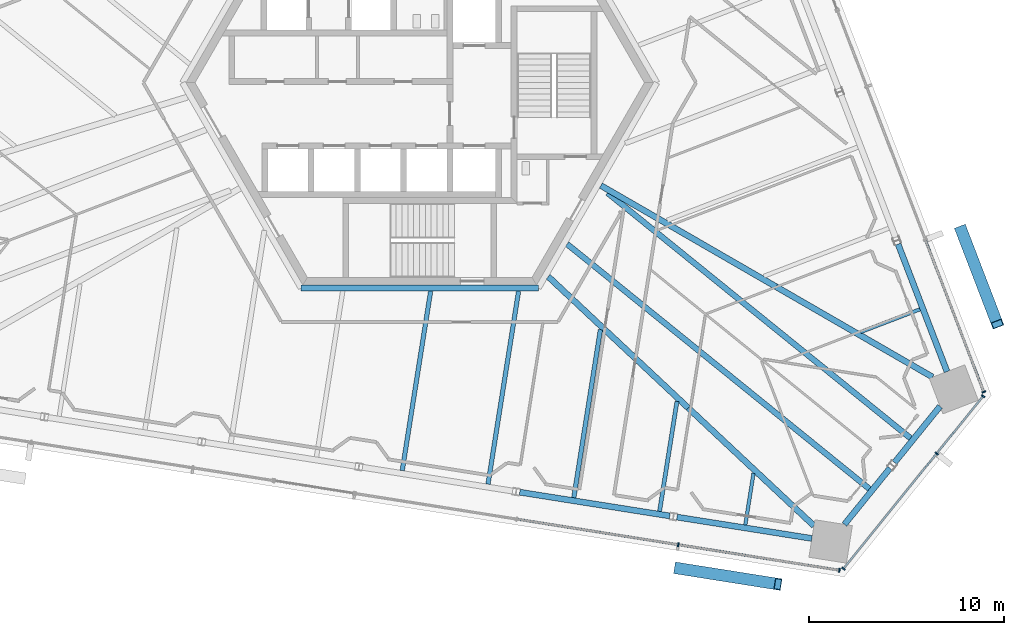
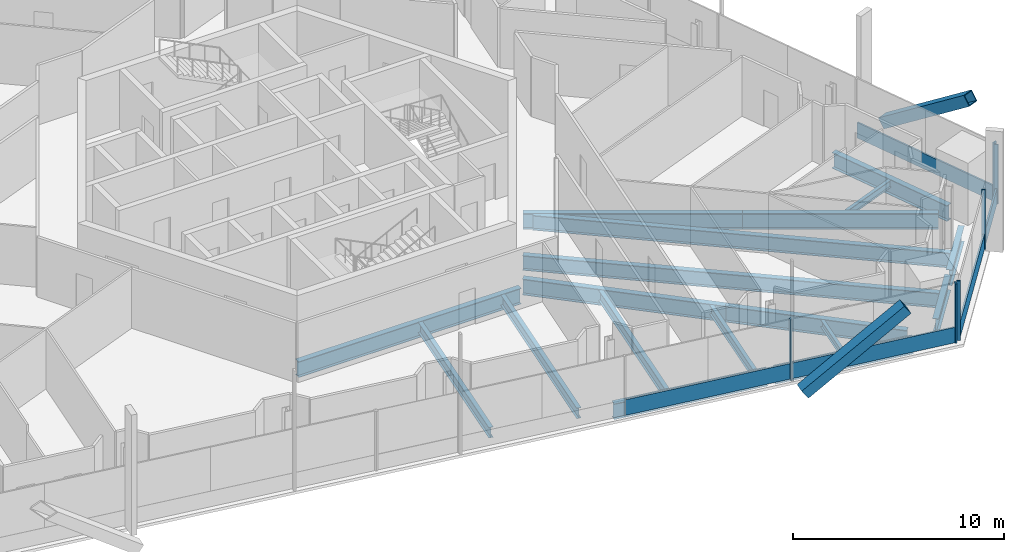
# One storey, part 6 of 23: 18 beams, 13 members, 3 elements without a shape of their own.
"""IFC4 building model written with IfcOpenShell, lengths in metres."""

from ifc_helpers import new_model, si_unit, direction, frame, origin, origin_2d, place, context, subcontext, project, spatial, rectangle, hollow_rectangle, i_section, extrude, source, transform, mapped, material, material_profile, profile_set, type_object, element, aggregate, save


model = new_model("IFC4")

# Units and contexts
model_context = context("Model", 3, precision=1e-05, world=origin(), true_north=direction((0.0, 1.0)))
body_context = subcontext(model_context, "Body", "Model", "MODEL_VIEW")
ifc_project = project(units=[si_unit("LENGTHUNIT", "METRE"), si_unit("AREAUNIT", "SQUARE_METRE"), si_unit("VOLUMEUNIT", "CUBIC_METRE"), si_unit("PLANEANGLEUNIT", "RADIAN"), si_unit("MASSUNIT", "GRAM", prefix="KILO")], contexts=[model_context])

# Site, building, storey
site_placement = place(None, origin())
site = spatial("IfcSite", under=ifc_project, at=site_placement, CompositionType="ELEMENT")
building_placement = place(site_placement, origin())
building = spatial("IfcBuilding", under=site, at=building_placement, Name="Triune Harvest Tower", CompositionType="ELEMENT")
storey_placement = place(building_placement, frame((0.0, 0.0, 167.699951171875)))
storey = spatial("IfcBuildingStorey", under=building, at=storey_placement, Name="L43", CompositionType="ELEMENT", Elevation=167.699951171875)

# Beams
ifc_material_1 = material(Name="Steel ASTM A992 Gr 50", Category="steel")
ifc_material_profile_1 = material_profile(ifc_material_1, i_section(OverallWidth=0.3046875, OverallDepth=0.914306640625, WebThickness=0.0166015625, FlangeThickness=0.02587890625, at=origin_2d()), Name="W36x160")
ifc_profile_set_1 = profile_set([ifc_material_profile_1], Name="Steel ASTM A992 Gr 50")
beam_type_1 = type_object("IfcBeamType", Name="CG-1 Core ring girder W36x160", PredefinedType="BEAM", material=ifc_profile_set_1)
shared_shape_1 = source(origin(), body_context, "Body", "SweptSolid", [
    extrude(i_section(OverallWidth=0.3046875, OverallDepth=0.914306640625, WebThickness=0.0166015625, FlangeThickness=0.02587890625, at=origin_2d()), origin(), (0.0, 0.0, 1.0), 12.17578125),
])
beam_1_placement = place(storey_placement, frame((-6.087890625, -10.544677734375, -0.6171875), z_axis=(1.0, 0.0, 0.0), x_axis=(0.0, 1.0, 0.0)))
element("IfcBeam", 1, at=beam_1_placement, inside=storey, type_object=beam_type_1, Name="beam/L43/CG5", PredefinedType="BEAM", context=body_context, shape_type="MappedRepresentation", body=[
    mapped(shared_shape_1, transform((0.0, 0.0, 0.0), scale=1.0)),
])
ifc_material_2 = material(Name="Steel ASTM A992 Gr 50", Category="steel")
ifc_material_profile_2 = material_profile(ifc_material_2, i_section(OverallWidth=0.307373046875, OverallDepth=0.922119140625, WebThickness=0.018310546875, FlangeThickness=0.030029296875, at=origin_2d()), Name="W36x182")
ifc_profile_set_2 = profile_set([ifc_material_profile_2], Name="Steel ASTM A992 Gr 50")
beam_type_2 = type_object("IfcBeamType", Name="HG-2 Hip girder W36x182", PredefinedType="BEAM", material=ifc_profile_set_2)
shared_shape_2 = source(origin(), body_context, "Body", "SweptSolid", [
    extrude(i_section(OverallWidth=0.307373046875, OverallDepth=0.922119140625, WebThickness=0.018310546875, FlangeThickness=0.030029296875, at=origin_2d()), origin(), (0.0, 0.0, 1.0), 10.38623046875),
])
beam_2_placement = place(storey_placement, frame((18.29833984375, -10.47314453125, -0.620849609375), z_axis=(-0.866022743272, 0.500004608114, 0.0), x_axis=(-0.500004608114, -0.866022743272, 0.0)))
element("IfcBeam", 2, at=beam_2_placement, inside=storey, type_object=beam_type_2, Name="beam/L43/HG2", PredefinedType="BEAM", context=body_context, shape_type="MappedRepresentation", body=[
    mapped(shared_shape_2, transform((0.0, 0.0, 0.0), scale=1.0)),
])
shared_shape_3 = source(origin(), body_context, "Body", "SweptSolid", [
    extrude(i_section(OverallWidth=0.307373046875, OverallDepth=0.922119140625, WebThickness=0.018310546875, FlangeThickness=0.030029296875, at=origin_2d()), origin(), (0.0, 0.0, 1.0), 9.85888671875),
])
beam_3_placement = place(storey_placement, frame((13.794189453125, -16.702392578125, -0.620849609375), z_axis=(-0.729486233367, 0.683995493646, 0.0), x_axis=(-0.683995493646, -0.729486233367, 0.0)))
element("IfcBeam", 3, at=beam_3_placement, inside=storey, type_object=beam_type_2, Name="beam/L43/HG8", PredefinedType="BEAM", context=body_context, shape_type="MappedRepresentation", body=[
    mapped(shared_shape_3, transform((0.0, 0.0, 0.0), scale=1.0)),
])
ifc_material_3 = material(Name="Steel ASTM A992 Gr 50", Category="steel")
ifc_material_profile_3 = material_profile(ifc_material_3, i_section(OverallWidth=0.3046875, OverallDepth=0.914306640625, WebThickness=0.0166015625, FlangeThickness=0.02587890625, at=origin_2d()), Name="W36x160")
ifc_profile_set_3 = profile_set([ifc_material_profile_3], Name="Steel ASTM A992 Gr 50")
beam_type_3 = type_object("IfcBeamType", Name="SB-1 Spandrel beam W36x160", PredefinedType="SPANDREL", material=ifc_profile_set_3)
shared_shape_4 = source(origin(), body_context, "Body", "SweptSolid", [
    extrude(i_section(OverallWidth=0.3046875, OverallDepth=0.914306640625, WebThickness=0.0166015625, FlangeThickness=0.02587890625, at=origin_2d()), origin(), (0.0, 0.0, 1.0), 7.013427734375),
])
for number, where, z_axis, x_axis, name in (
    (4, (27.07568359375, -14.832275390625, -0.6171875), (-0.358372513984, 0.93357867436, 0.0), (-0.93357867436, -0.358372513984, 0.0), "beam/L43/SB1"),
    (5, (13.210205078125, -22.302978515625, -0.6171875), (0.987687489289, -0.156439839878, 0.0), (0.156439839878, 0.987687489289, 0.0), "beam/L43/SB22"),
):
    element("IfcBeam", number, at=place(storey_placement, frame(where, z_axis=z_axis, x_axis=x_axis)), inside=storey, type_object=beam_type_3, Name=name, PredefinedType="SPANDREL", context=body_context, shape_type="MappedRepresentation", body=[
        mapped(shared_shape_4, transform((0.0, 0.0, 0.0), scale=1.0)),
    ])
shared_shape_5 = source(origin(), body_context, "Body", "SweptSolid", [
    extrude(i_section(OverallWidth=0.3046875, OverallDepth=0.914306640625, WebThickness=0.0166015625, FlangeThickness=0.02587890625, at=origin_2d()), origin(), (0.0, 0.0, 1.0), 3.71240234375),
])
beam_4_placement = place(storey_placement, frame((21.808837890625, -22.677734375, -0.6171875), z_axis=(0.629351453127, 0.777120806855, 0.0), x_axis=(-0.777120806855, 0.629351453127, 0.0)))
element("IfcBeam", 6, at=beam_4_placement, inside=storey, type_object=beam_type_3, Name="beam/L43/SB23", PredefinedType="SPANDREL", context=body_context, shape_type="MappedRepresentation", body=[
    mapped(shared_shape_5, transform((0.0, 0.0, 0.0), scale=1.0)),
])
shared_shape_6 = source(origin(), body_context, "Body", "SweptSolid", [
    extrude(i_section(OverallWidth=0.3046875, OverallDepth=0.914306640625, WebThickness=0.0166015625, FlangeThickness=0.02587890625, at=origin_2d()), origin(), (0.0, 0.0, 1.0), 7.801513671875),
])
beam_5_placement = place(storey_placement, frame((5.135986328125, -21.024169921875, -0.6171875), z_axis=(0.98768800071, -0.156436610974, 0.0), x_axis=(0.156436610974, 0.98768800071, 0.0)))
element("IfcBeam", 7, at=beam_5_placement, inside=storey, type_object=beam_type_3, Name="beam/L43/SB21", PredefinedType="SPANDREL", context=body_context, shape_type="MappedRepresentation", body=[
    mapped(shared_shape_6, transform((0.0, 0.0, 0.0), scale=1.0)),
])
shared_shape_7 = source(origin(), body_context, "Body", "SweptSolid", [
    extrude(i_section(OverallWidth=0.3046875, OverallDepth=0.914306640625, WebThickness=0.0166015625, FlangeThickness=0.02587890625, at=origin_2d()), origin(), (0.0, 0.0, 1.0), 3.712646484375),
])
beam_6_placement = place(storey_placement, frame((24.380126953125, -19.50244140625, -0.6171875), z_axis=(0.629319290748, 0.777146852462, 0.0), x_axis=(-0.777146852462, 0.629319290748, 0.0)))
element("IfcBeam", 8, at=beam_6_placement, inside=storey, type_object=beam_type_3, Name="beam/L43/SB24", PredefinedType="SPANDREL", context=body_context, shape_type="MappedRepresentation", body=[
    mapped(shared_shape_7, transform((0.0, 0.0, 0.0), scale=1.0)),
])
shared_shape_8 = source(origin(), body_context, "Body", "SweptSolid", [
    extrude(i_section(OverallWidth=0.307373046875, OverallDepth=0.922119140625, WebThickness=0.018310546875, FlangeThickness=0.030029296875, at=origin_2d()), origin(), (0.0, 0.0, 1.0), 9.28369140625),
])
beam_7_placement = place(storey_placement, frame((26.33837890625, -15.114990234375, -0.620849609375), z_axis=(-0.86602880926, 0.499994101496, 0.0), x_axis=(-0.499994101496, -0.86602880926, 0.0)))
element("IfcBeam", 9, at=beam_7_placement, inside=storey, type_object=beam_type_2, Name="beam/L43/HG1", PredefinedType="BEAM", context=body_context, shape_type="MappedRepresentation", body=[
    mapped(shared_shape_8, transform((0.0, 0.0, 0.0), scale=1.0)),
])
shared_shape_9 = source(origin(), body_context, "Body", "SweptSolid", [
    extrude(i_section(OverallWidth=0.307373046875, OverallDepth=0.922119140625, WebThickness=0.018310546875, FlangeThickness=0.030029296875, at=origin_2d()), origin(), (0.0, 0.0, 1.0), 8.8369140625),
])
beam_8_placement = place(storey_placement, frame((20.24072265625, -22.746826171875, -0.620849609375), z_axis=(-0.729491540387, 0.683989833626, 0.0), x_axis=(-0.683989833626, -0.729491540387, 0.0)))
element("IfcBeam", 10, at=beam_8_placement, inside=storey, type_object=beam_type_2, Name="beam/L43/HG7", PredefinedType="BEAM", context=body_context, shape_type="MappedRepresentation", body=[
    mapped(shared_shape_9, transform((0.0, 0.0, 0.0), scale=1.0)),
])
ifc_material_4 = material(Name="Steel ASTM A992 Gr 50", Category="steel")
ifc_material_profile_4 = material_profile(ifc_material_4, i_section(OverallWidth=0.180908203125, OverallDepth=0.41650390625, WebThickness=0.010986328125, FlangeThickness=0.01806640625, at=origin_2d()), Name="W16x57")
ifc_profile_set_4 = profile_set([ifc_material_profile_4], Name="Steel ASTM A992 Gr 50")
beam_type_4 = type_object("IfcBeamType", Name="JT-1 Floor joist W16x57", PredefinedType="JOIST", material=ifc_profile_set_4)
shared_shape_10 = source(origin(), body_context, "Body", "SweptSolid", [
    extrude(i_section(OverallWidth=0.180908203125, OverallDepth=0.41650390625, WebThickness=0.010986328125, FlangeThickness=0.01806640625, at=origin_2d()), origin(), (0.0, 0.0, 1.0), 3.260986328125),
])
beam_9_placement = place(storey_placement, frame((25.684814453125, -11.634033203125, -0.3681640625), z_axis=(-0.933600075775, -0.35831675723, 0.0), x_axis=(0.35831675723, -0.933600075775, 0.0)))
element("IfcBeam", 11, at=beam_9_placement, inside=storey, type_object=beam_type_4, Name="beam/L43/JT1", PredefinedType="JOIST", context=body_context, shape_type="MappedRepresentation", body=[
    mapped(shared_shape_10, transform((0.0, 0.0, 0.0), scale=1.0)),
])
ifc_material_5 = material(Name="Steel ASTM A992 Gr 50", Category="steel")
ifc_material_profile_5 = material_profile(ifc_material_5, i_section(OverallWidth=0.2919921875, OverallDepth=0.8583984375, WebThickness=0.01708984375, FlangeThickness=0.031005859375, at=origin_2d()), Name="W33x169")
ifc_profile_set_5 = profile_set([ifc_material_profile_5], Name="Steel ASTM A992 Gr 50")
beam_type_5 = type_object("IfcBeamType", Name="JT-7 Floor joist W33x169", PredefinedType="JOIST", material=ifc_profile_set_5)
shared_shape_11 = source(origin(), body_context, "Body", "SweptSolid", [
    extrude(i_section(OverallWidth=0.2919921875, OverallDepth=0.8583984375, WebThickness=0.01708984375, FlangeThickness=0.031005859375, at=origin_2d()), origin(), (0.0, 0.0, 1.0), 19.97216796875),
])
beam_10_placement = place(storey_placement, frame((23.090087890625, -20.853515625, -0.58935546875), z_axis=(-0.777140102023, 0.629327626779, 0.0), x_axis=(-0.629327626779, -0.777140102023, 0.0)))
element("IfcBeam", 12, at=beam_10_placement, inside=storey, type_object=beam_type_5, Name="beam/L43/JT35", PredefinedType="JOIST", context=body_context, shape_type="MappedRepresentation", body=[
    mapped(shared_shape_11, transform((0.0, 0.0, 0.0), scale=1.0)),
])
shared_shape_12 = source(origin(), body_context, "Body", "SweptSolid", [
    extrude(i_section(OverallWidth=0.2919921875, OverallDepth=0.8583984375, WebThickness=0.01708984375, FlangeThickness=0.031005859375, at=origin_2d()), origin(), (0.0, 0.0, 1.0), 20.01611328125),
])
beam_11_placement = place(storey_placement, frame((25.198486328125, -18.25, -0.58935546875), z_axis=(-0.777142320664, 0.629324887028, 0.0), x_axis=(-0.629324887028, -0.777142320664, 0.0)))
element("IfcBeam", 13, at=beam_11_placement, inside=storey, type_object=beam_type_5, Name="beam/L43/JT36", PredefinedType="JOIST", context=body_context, shape_type="MappedRepresentation", body=[
    mapped(shared_shape_12, transform((0.0, 0.0, 0.0), scale=1.0)),
])
ifc_material_6 = material(Name="Steel ASTM A992 Gr 50", Category="steel")
ifc_material_profile_6 = material_profile(ifc_material_6, i_section(OverallWidth=0.22900390625, OverallDepth=0.612060546875, WebThickness=0.011962890625, FlangeThickness=0.01953125, at=origin_2d()), Name="W24x84")
ifc_profile_set_6 = profile_set([ifc_material_profile_6], Name="Steel ASTM A992 Gr 50")
beam_type_6 = type_object("IfcBeamType", Name="JT-3 Floor joist W24x84", PredefinedType="JOIST", material=ifc_profile_set_6)
shared_shape_13 = source(origin(), body_context, "Body", "SweptSolid", [
    extrude(i_section(OverallWidth=0.22900390625, OverallDepth=0.612060546875, WebThickness=0.011962890625, FlangeThickness=0.01953125, at=origin_2d()), origin(), (0.0, 0.0, 1.0), 9.332275390625),
])
beam_12_placement = place(storey_placement, frame((-0.896728515625, -19.914306640625, -0.466064453125), z_axis=(0.156417974358, 0.987690952321, 0.0), x_axis=(-0.987690952321, 0.156417974358, 0.0)))
element("IfcBeam", 14, at=beam_12_placement, inside=storey, type_object=beam_type_6, Name="beam/L43/JT30", PredefinedType="JOIST", context=body_context, shape_type="MappedRepresentation", body=[
    mapped(shared_shape_13, transform((0.0, 0.0, 0.0), scale=1.0)),
])
shared_shape_14 = source(origin(), body_context, "Body", "SweptSolid", [
    extrude(i_section(OverallWidth=0.22900390625, OverallDepth=0.612060546875, WebThickness=0.011962890625, FlangeThickness=0.01953125, at=origin_2d()), origin(), (0.0, 0.0, 1.0), 10.03857421875),
])
beam_13_placement = place(storey_placement, frame((3.50732421875, -20.612060546875, -0.466064453125), z_axis=(0.156427136615, 0.987689501276, 0.0), x_axis=(-0.987689501276, 0.156427136615, 0.0)))
element("IfcBeam", 15, at=beam_13_placement, inside=storey, type_object=beam_type_6, Name="beam/L43/JT31", PredefinedType="JOIST", context=body_context, shape_type="MappedRepresentation", body=[
    mapped(shared_shape_14, transform((0.0, 0.0, 0.0), scale=1.0)),
])
shared_shape_15 = source(origin(), body_context, "Body", "SweptSolid", [
    extrude(i_section(OverallWidth=0.22900390625, OverallDepth=0.612060546875, WebThickness=0.011962890625, FlangeThickness=0.01953125, at=origin_2d()), origin(), (0.0, 0.0, 1.0), 8.73828125),
])
beam_14_placement = place(storey_placement, frame((7.91162109375, -21.3095703125, -0.466064453125), z_axis=(0.156433147227, 0.987688549315, 0.0), x_axis=(-0.987688549315, 0.156433147227, 0.0)))
element("IfcBeam", 16, at=beam_14_placement, inside=storey, type_object=beam_type_6, Name="beam/L43/JT32", PredefinedType="JOIST", context=body_context, shape_type="MappedRepresentation", body=[
    mapped(shared_shape_15, transform((0.0, 0.0, 0.0), scale=1.0)),
])
ifc_material_7 = material(Name="Steel ASTM A992 Gr 50", Category="steel")
ifc_material_profile_7 = material_profile(ifc_material_7, i_section(OverallWidth=0.2099609375, OverallDepth=0.535888671875, WebThickness=0.010986328125, FlangeThickness=0.017333984375, at=origin_2d()), Name="W21x68")
ifc_profile_set_7 = profile_set([ifc_material_profile_7], Name="Steel ASTM A992 Gr 50")
beam_type_7 = type_object("IfcBeamType", Name="JT-2 Floor joist W21x68", PredefinedType="JOIST", material=ifc_profile_set_7)
shared_shape_16 = source(origin(), body_context, "Body", "SweptSolid", [
    extrude(i_section(OverallWidth=0.2099609375, OverallDepth=0.535888671875, WebThickness=0.010986328125, FlangeThickness=0.017333984375, at=origin_2d()), origin(), (0.0, 0.0, 1.0), 5.712646484375),
])
beam_15_placement = place(storey_placement, frame((12.315673828125, -22.007080078125, -0.427978515625), z_axis=(0.156458528862, 0.98768452896, 0.0), x_axis=(-0.98768452896, 0.156458528862, 0.0)))
element("IfcBeam", 17, at=beam_15_placement, inside=storey, type_object=beam_type_7, Name="beam/L43/JT33", PredefinedType="JOIST", context=body_context, shape_type="MappedRepresentation", body=[
    mapped(shared_shape_16, transform((0.0, 0.0, 0.0), scale=1.0)),
])
shared_shape_17 = source(origin(), body_context, "Body", "SweptSolid", [
    extrude(i_section(OverallWidth=0.180908203125, OverallDepth=0.41650390625, WebThickness=0.010986328125, FlangeThickness=0.01806640625, at=origin_2d()), origin(), (0.0, 0.0, 1.0), 2.6875),
])
beam_16_placement = place(storey_placement, frame((16.719970703125, -22.70458984375, -0.3681640625), z_axis=(0.156438396813, 0.987687717856, 0.0), x_axis=(-0.987687717856, 0.156438396813, 0.0)))
element("IfcBeam", 18, at=beam_16_placement, inside=storey, type_object=beam_type_4, Name="beam/L43/JT34", PredefinedType="JOIST", context=body_context, shape_type="MappedRepresentation", body=[
    mapped(shared_shape_17, transform((0.0, 0.0, 0.0), scale=1.0)),
])

# Members
ifc_material_8 = material(Name="Steel ASTM A572 Gr 50", Category="steel")
ifc_material_profile_8 = material_profile(ifc_material_8, hollow_rectangle(XDim=0.60009765625, YDim=0.60009765625, WallThickness=0.0400390625, at=origin_2d()), Name="Box 600x600x40")
ifc_profile_set_8 = profile_set([ifc_material_profile_8], Name="Steel ASTM A572 Gr 50")
member_type_1 = type_object("IfcMemberType", Name="BR-2 Brace Box 600x600x40", PredefinedType="BRACE", material=ifc_profile_set_8)
shared_shape_18 = source(origin(), body_context, "Body", "SweptSolid", [
    extrude(hollow_rectangle(XDim=0.60009765625, YDim=0.60009765625, WallThickness=0.0400390625, at=origin_2d()), origin(), (0.0, 0.0, 1.0), 6.3291015625),
])
for number, where, z_axis, x_axis, name in (
    (19, (27.794921875, -7.52880859375, 0.0), (0.294740818173, -0.767845926784, 0.568806190915), (0.933583525139, 0.358359877202, 0.0), "brace/B4-F1/d2/9"),
    (20, (13.252685546875, -24.9306640625, 0.0), (0.812335384172, -0.128683738145, 0.568816067952), (0.156461096524, 0.987684122214, 0.0), "brace/B4-F5/d1/9"),
):
    element("IfcMember", number, at=place(storey_placement, frame(where, z_axis=z_axis, x_axis=x_axis)), inside=storey, type_object=member_type_1, Name=name, PredefinedType="BRACE", context=body_context, shape_type="MappedRepresentation", body=[
        mapped(shared_shape_18, transform((0.0, 0.0, 0.0), scale=1.0)),
    ])

# Curtain wall, member
ifc_material_9 = material(Name="Aluminium bronze anodised", Category="aluminium")
curtain_wall_type = type_object("IfcCurtainWallType", Name="CW-7 Tower stick curtain wall with insulated spandrel infill", PredefinedType="NOTDEFINED", material=ifc_material_9)
curtain_wall_1_placement = place(storey_placement, origin())
curtain_wall_1 = element("IfcCurtainWall", 21, at=curtain_wall_1_placement, inside=storey, type_object=curtain_wall_type, Name="CW-7 B4-F1 L43 run 1")
ifc_material_10 = material(Name="Aluminium bronze anodised", Category="aluminium")
ifc_material_profile_9 = material_profile(ifc_material_10, rectangle(XDim=0.199951171875, YDim=0.074951171875, at=origin_2d()), Name="MU-1 mullion 75 x 200")
ifc_profile_set_9 = profile_set([ifc_material_profile_9], Name="Aluminium bronze anodised")
member_type_2 = type_object("IfcMemberType", Name="MU-1 mullion 75 x 200", PredefinedType="MULLION", material=ifc_profile_set_9)
shared_shape_19 = source(origin(), body_context, "Body", "SweptSolid", [
    extrude(rectangle(XDim=0.199951171875, YDim=0.074951171875, at=origin_2d()), origin(), (0.0, 0.0, 1.0), 3.43994140625),
])
member_1_placement = place(storey_placement, frame((28.963134765625, -15.874267578125, 0.0), z_axis=(0.0, 0.0, 1.0), x_axis=(-0.933579701175, -0.358369839068, 0.0)))
member_1 = element("IfcMember", 22, at=member_1_placement, type_object=member_type_2, Name="CW-7 mullion B4-F1 1.1", PredefinedType="MULLION", context=body_context, shape_type="MappedRepresentation", body=[
    mapped(shared_shape_19, transform((0.0, 0.0, 0.0), scale=1.0)),
])

# Curtain wall, members
curtain_wall_2_placement = place(storey_placement, origin())
curtain_wall_2 = element("IfcCurtainWall", 23, at=curtain_wall_2_placement, inside=storey, type_object=curtain_wall_type, Name="CW-7 B4-F5 L43 run 2001")
member_2_placement = place(storey_placement, frame((13.27734375, -23.7197265625, 0.0), z_axis=(0.0, 0.0, 1.0), x_axis=(0.156434974453, 0.987688259912, 0.0)))
member_2 = element("IfcMember", 24, at=member_2_placement, type_object=member_type_2, Name="CW-7 mullion B4-F5 2001.5", PredefinedType="MULLION", context=body_context, shape_type="MappedRepresentation", body=[
    mapped(shared_shape_19, transform((0.0, 0.0, 0.0), scale=1.0)),
])
member_3_placement = place(storey_placement, frame((21.549072265625, -25.02978515625, 0.0), z_axis=(0.0, 0.0, 1.0), x_axis=(0.156434974453, 0.987688259912, 0.0)))
member_3 = element("IfcMember", 25, at=member_3_placement, type_object=member_type_2, Name="CW-7 mullion B4-F5 2001.7", PredefinedType="MULLION", context=body_context, shape_type="MappedRepresentation", body=[
    mapped(shared_shape_19, transform((0.0, 0.0, 0.0), scale=1.0)),
])

curtain_wall_3_placement = place(storey_placement, origin())
curtain_wall_3 = element("IfcCurtainWall", 26, at=curtain_wall_3_placement, inside=storey, type_object=curtain_wall_type, Name="CW-7 B4-F6 L43 run 1")
member_4_placement = place(storey_placement, frame((21.755126953125, -24.95068359375, 0.0), z_axis=(0.0, 0.0, 1.0), x_axis=(-0.777145544932, 0.629320905414, 0.0)))
member_4 = element("IfcMember", 27, at=member_4_placement, type_object=member_type_2, Name="CW-7 mullion B4-F6 1.1", PredefinedType="MULLION", context=body_context, shape_type="MappedRepresentation", body=[
    mapped(shared_shape_19, transform((0.0, 0.0, 0.0), scale=1.0)),
])
member_5_placement = place(storey_placement, frame((26.54541015625, -19.035400390625, 0.0), z_axis=(0.0, 0.0, 1.0), x_axis=(-0.777145544932, 0.629320905414, 0.0)))
member_5 = element("IfcMember", 28, at=member_5_placement, type_object=member_type_2, Name="CW-7 mullion B4-F6 1.3", PredefinedType="MULLION", context=body_context, shape_type="MappedRepresentation", body=[
    mapped(shared_shape_19, transform((0.0, 0.0, 0.0), scale=1.0)),
])
member_6_placement = place(storey_placement, frame((28.9287109375, -16.09228515625, 0.0), z_axis=(0.0, 0.0, 1.0), x_axis=(-0.777145544932, 0.629320905414, 0.0)))
member_6 = element("IfcMember", 29, at=member_6_placement, type_object=member_type_2, Name="CW-7 mullion B4-F6 1.4", PredefinedType="MULLION", context=body_context, shape_type="MappedRepresentation", body=[
    mapped(shared_shape_19, transform((0.0, 0.0, 0.0), scale=1.0)),
])

# Member
ifc_material_11 = material(Name="Aluminium bronze anodised", Category="aluminium")
ifc_material_profile_10 = material_profile(ifc_material_11, rectangle(XDim=0.090087890625, YDim=0.89990234375, at=origin_2d()), Name="TR-1 transom 90 x 900")
ifc_profile_set_10 = profile_set([ifc_material_profile_10], Name="Aluminium bronze anodised")
member_type_3 = type_object("IfcMemberType", Name="TR-1 transom 90 x 900", PredefinedType="USERDEFINED", material=ifc_profile_set_10)
shared_shape_20 = source(origin(), body_context, "Body", "SweptSolid", [
    extrude(rectangle(XDim=0.090087890625, YDim=0.89990234375, at=origin_2d()), origin(), (0.0, 0.0, 1.0), 8.337158203125),
])
member_7_placement = place(storey_placement, frame((5.005859375, -22.40966796875, 0.449951171875), z_axis=(0.987689013774, -0.156430214699, 0.0), x_axis=(0.156430214699, 0.987689013774, 0.0)))
member_7 = element("IfcMember", 30, at=member_7_placement, type_object=member_type_3, Name="CW-7 transom B4-F5 2001.2", ObjectType="TRANSOM", PredefinedType="USERDEFINED", context=body_context, shape_type="MappedRepresentation", body=[
    mapped(shared_shape_20, transform((0.0, 0.0, 0.0), scale=1.0)),
])

shared_shape_21 = source(origin(), body_context, "Body", "SweptSolid", [
    extrude(rectangle(XDim=0.090087890625, YDim=0.89990234375, at=origin_2d()), origin(), (0.0, 0.0, 1.0), 7.53662109375),
])
member_8_placement = place(storey_placement, frame((21.77880859375, -24.921630859375, 0.449951171875), z_axis=(0.629310046563, 0.777154338143, 0.0), x_axis=(-0.777154338143, 0.629310046563, 0.0)))
member_8 = element("IfcMember", 31, at=member_8_placement, type_object=member_type_3, Name="CW-7 transom B4-F6 1.1", ObjectType="TRANSOM", PredefinedType="USERDEFINED", context=body_context, shape_type="MappedRepresentation", body=[
    mapped(shared_shape_21, transform((0.0, 0.0, 0.0), scale=1.0)),
])

shared_shape_22 = source(origin(), body_context, "Body", "SweptSolid", [
    extrude(rectangle(XDim=0.090087890625, YDim=0.89990234375, at=origin_2d()), origin(), (0.0, 0.0, 1.0), 3.712158203125),
])
member_9_placement = place(storey_placement, frame((26.569091796875, -19.00634765625, 0.449951171875), z_axis=(0.629272012567, 0.777185135087, 0.0), x_axis=(-0.777185135087, 0.629272012567, 0.0)))
member_9 = element("IfcMember", 32, at=member_9_placement, type_object=member_type_3, Name="CW-7 transom B4-F6 1.2", ObjectType="TRANSOM", PredefinedType="USERDEFINED", context=body_context, shape_type="MappedRepresentation", body=[
    mapped(shared_shape_22, transform((0.0, 0.0, 0.0), scale=1.0)),
])

aggregate(curtain_wall_3, [member_4, member_5, member_6, member_8, member_9])

shared_shape_23 = source(origin(), body_context, "Body", "SweptSolid", [
    extrude(rectangle(XDim=0.090087890625, YDim=0.89990234375, at=origin_2d()), origin(), (0.0, 0.0, 1.0), 8.2998046875),
])
member_10_placement = place(storey_placement, frame((28.94970703125, -15.839111328125, 0.449951171875), z_axis=(-0.35836598202, 0.933581181757, 0.0), x_axis=(-0.933581181757, -0.35836598202, 0.0)))
member_10 = element("IfcMember", 33, at=member_10_placement, type_object=member_type_3, Name="CW-7 transom B4-F1 1.1", ObjectType="TRANSOM", PredefinedType="USERDEFINED", context=body_context, shape_type="MappedRepresentation", body=[
    mapped(shared_shape_23, transform((0.0, 0.0, 0.0), scale=1.0)),
])

aggregate(curtain_wall_1, [member_1, member_10])

member_11_placement = place(storey_placement, frame((13.314453125, -23.7255859375, 0.449951171875), z_axis=(0.987688678524, -0.156432331429, 0.0), x_axis=(0.156432331429, 0.987688678524, 0.0)))
member_11 = element("IfcMember", 34, at=member_11_placement, type_object=member_type_3, Name="CW-7 transom B4-F5 2001.3", ObjectType="TRANSOM", PredefinedType="USERDEFINED", context=body_context, shape_type="MappedRepresentation", body=[
    mapped(shared_shape_23, transform((0.0, 0.0, 0.0), scale=1.0)),
])

aggregate(curtain_wall_2, [member_2, member_3, member_7, member_11])

save(model, "model.ifc")
